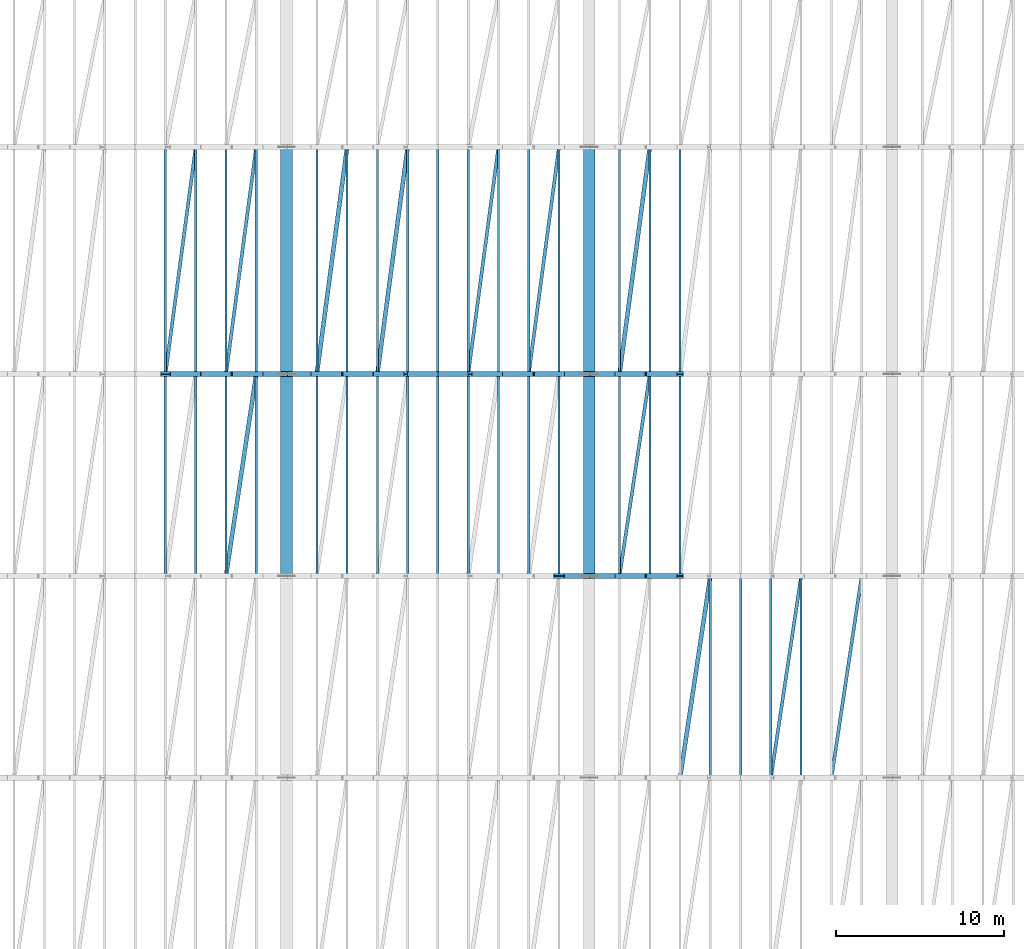
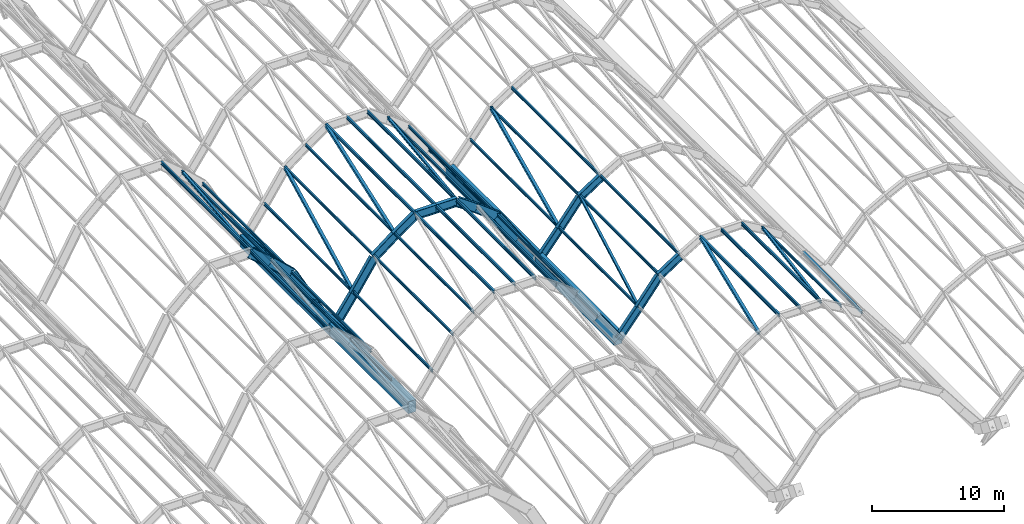
# One storey, part 15 of 86: 48 members, 25 beams.
"""IFC4 building model written with IfcOpenShell, lengths in metres."""

from ifc_helpers import new_model, si_unit, direction, frame, origin, origin_2d, place, context, subcontext, project, spatial, rectangle, i_section, extrude, material, material_profile, profile_set, type_object, element, save


model = new_model("IFC4")

# Units and contexts
model_context = context("Model", 3, precision=1e-05, world=origin(), true_north=direction((0.0, 1.0)))
body_context = subcontext(model_context, "Body", "Model", "MODEL_VIEW")
ifc_project = project(units=[si_unit("LENGTHUNIT", "METRE"), si_unit("AREAUNIT", "SQUARE_METRE"), si_unit("VOLUMEUNIT", "CUBIC_METRE"), si_unit("PLANEANGLEUNIT", "RADIAN"), si_unit("MASSUNIT", "GRAM", prefix="KILO")], contexts=[model_context])

# Site, building, storey
site_placement = place(None, origin())
site = spatial("IfcSite", under=ifc_project, at=site_placement, CompositionType="ELEMENT")
building_placement = place(site_placement, origin())
building = spatial("IfcBuilding", under=site, at=building_placement, Name="Chuanluo Vaults Station", CompositionType="ELEMENT")
storey_placement = place(building_placement, frame((0.0, 0.0, 14.39990234375)))
storey = spatial("IfcBuildingStorey", under=building, at=storey_placement, Name="L03", CompositionType="ELEMENT", Elevation=14.39990234375)

# Beams
ifc_material_1 = material(Name="Concrete C50", Category="concrete")
ifc_material_profile_1 = material_profile(ifc_material_1, rectangle(XDim=0.699951171875, YDim=1.10009765625, at=origin_2d()))
ifc_profile_set_1 = profile_set([ifc_material_profile_1], Name="Concrete C50")
beam_type_1 = type_object("IfcBeamType", Name="BM-VAL-RC", PredefinedType="USERDEFINED", material=ifc_profile_set_1)
beam_1_placement = place(storey_placement, frame((72.0, 42.0, -0.7998046875), z_axis=(0.0, 1.0, 0.0), x_axis=(-1.0, 0.0, 0.0)))
element("IfcBeam", 1, at=beam_1_placement, inside=storey, type_object=beam_type_1, Name="Vault springing valley beam X72-3", ObjectType="GIRDER", PredefinedType="USERDEFINED", context=body_context, shape_type="SweptSolid", body=[
    extrude(rectangle(XDim=0.699951171875, YDim=1.10009765625, at=origin_2d()), origin(), (0.0, 0.0, 1.0), 12.0),
])
beam_2_placement = place(storey_placement, frame((72.0, 54.0, -0.7998046875), z_axis=(0.0, 1.0, 0.0), x_axis=(-1.0, 0.0, 0.0)))
element("IfcBeam", 2, at=beam_2_placement, inside=storey, type_object=beam_type_1, Name="Vault springing valley beam X72-4", ObjectType="GIRDER", PredefinedType="USERDEFINED", context=body_context, shape_type="SweptSolid", body=[
    extrude(rectangle(XDim=0.699951171875, YDim=1.10009765625, at=origin_2d()), origin(), (0.0, 0.0, 1.0), 13.5),
])
beam_3_placement = place(storey_placement, frame((90.0, 42.0, -0.7998046875), z_axis=(0.0, 1.0, 0.0), x_axis=(-1.0, 0.0, 0.0)))
element("IfcBeam", 3, at=beam_3_placement, inside=storey, type_object=beam_type_1, Name="Vault springing valley beam X90-3", ObjectType="GIRDER", PredefinedType="USERDEFINED", context=body_context, shape_type="SweptSolid", body=[
    extrude(rectangle(XDim=0.699951171875, YDim=1.10009765625, at=origin_2d()), origin(), (0.0, 0.0, 1.0), 12.0),
])
beam_4_placement = place(storey_placement, frame((90.0, 54.0, -0.7998046875), z_axis=(0.0, 1.0, 0.0), x_axis=(-1.0, 0.0, 0.0)))
element("IfcBeam", 4, at=beam_4_placement, inside=storey, type_object=beam_type_1, Name="Vault springing valley beam X90-4", ObjectType="GIRDER", PredefinedType="USERDEFINED", context=body_context, shape_type="SweptSolid", body=[
    extrude(rectangle(XDim=0.699951171875, YDim=1.10009765625, at=origin_2d()), origin(), (0.0, 0.0, 1.0), 13.5),
])
ifc_material_2 = material(Name="Steel Q355C", Category="steel")
ifc_material_profile_2 = material_profile(ifc_material_2, i_section(OverallWidth=0.300048828125, OverallDepth=0.699951171875, WebThickness=0.012939453125, FlangeThickness=0.02392578125, FilletRadius=0.02392578125, at=origin_2d()))
ifc_profile_set_2 = profile_set([ifc_material_profile_2], Name="Steel Q355C")
beam_type_2 = type_object("IfcBeamType", Name="BM-VLT-700", PredefinedType="USERDEFINED", material=ifc_profile_set_2)
beam_5_placement = place(storey_placement, frame((90.0, 42.0, -0.7998046875), z_axis=(0.628190338877, 0.0, 0.778059700885), x_axis=(0.0, 1.0, 0.0)))
element("IfcBeam", 5, at=beam_5_placement, inside=storey, type_object=beam_type_2, Name="Vault V6 arch rib 3 chord 1", ObjectType="GIRDER", PredefinedType="USERDEFINED", context=body_context, shape_type="SweptSolid", body=[
    extrude(i_section(OverallWidth=0.300048828125, OverallDepth=0.699951171875, WebThickness=0.012939453125, FlangeThickness=0.02392578125, FilletRadius=0.02392578125, at=origin_2d()), origin(), (0.0, 0.0, 1.0), 2.865478515625),
])
beam_6_placement = place(storey_placement, frame((91.800048828125, 42.0, 1.4296875), z_axis=(0.613681275736, 0.0, 0.789553856182), x_axis=(0.0, 1.0, 0.0)))
element("IfcBeam", 6, at=beam_6_placement, inside=storey, type_object=beam_type_2, Name="Vault V6 arch rib 3 chord 2", ObjectType="GIRDER", PredefinedType="USERDEFINED", context=body_context, shape_type="SweptSolid", body=[
    extrude(i_section(OverallWidth=0.300048828125, OverallDepth=0.699951171875, WebThickness=0.012939453125, FlangeThickness=0.02392578125, FilletRadius=0.02392578125, at=origin_2d()), origin(), (0.0, 0.0, 1.0), 2.93310546875),
])
beam_7_placement = place(storey_placement, frame((93.60009765625, 42.0, 3.74560546875), z_axis=(0.836145448105, 0.0, 0.54850778446), x_axis=(0.0, 1.0, 0.0)))
element("IfcBeam", 7, at=beam_7_placement, inside=storey, type_object=beam_type_2, Name="Vault V6 arch rib 3 chord 3", ObjectType="GIRDER", PredefinedType="USERDEFINED", context=body_context, shape_type="SweptSolid", body=[
    extrude(i_section(OverallWidth=0.300048828125, OverallDepth=0.699951171875, WebThickness=0.012939453125, FlangeThickness=0.02392578125, FilletRadius=0.02392578125, at=origin_2d()), origin(), (0.0, 0.0, 1.0), 2.152587890625),
])
beam_8_placement = place(storey_placement, frame((90.0, 54.0, -0.7998046875), z_axis=(0.628190338877, 0.0, 0.778059700885), x_axis=(0.0, 1.0, 0.0)))
element("IfcBeam", 8, at=beam_8_placement, inside=storey, type_object=beam_type_2, Name="Vault V6 arch rib 4 chord 1", ObjectType="GIRDER", PredefinedType="USERDEFINED", context=body_context, shape_type="SweptSolid", body=[
    extrude(i_section(OverallWidth=0.300048828125, OverallDepth=0.699951171875, WebThickness=0.012939453125, FlangeThickness=0.02392578125, FilletRadius=0.02392578125, at=origin_2d()), origin(), (0.0, 0.0, 1.0), 2.865478515625),
])
beam_9_placement = place(storey_placement, frame((91.800048828125, 54.0, 1.4296875), z_axis=(0.613681275736, 0.0, 0.789553856182), x_axis=(0.0, 1.0, 0.0)))
element("IfcBeam", 9, at=beam_9_placement, inside=storey, type_object=beam_type_2, Name="Vault V6 arch rib 4 chord 2", ObjectType="GIRDER", PredefinedType="USERDEFINED", context=body_context, shape_type="SweptSolid", body=[
    extrude(i_section(OverallWidth=0.300048828125, OverallDepth=0.699951171875, WebThickness=0.012939453125, FlangeThickness=0.02392578125, FilletRadius=0.02392578125, at=origin_2d()), origin(), (0.0, 0.0, 1.0), 2.93310546875),
])
beam_10_placement = place(storey_placement, frame((93.60009765625, 54.0, 3.74560546875), z_axis=(0.836145448105, 0.0, 0.54850778446), x_axis=(0.0, 1.0, 0.0)))
element("IfcBeam", 10, at=beam_10_placement, inside=storey, type_object=beam_type_2, Name="Vault V6 arch rib 4 chord 3", ObjectType="GIRDER", PredefinedType="USERDEFINED", context=body_context, shape_type="SweptSolid", body=[
    extrude(i_section(OverallWidth=0.300048828125, OverallDepth=0.699951171875, WebThickness=0.012939453125, FlangeThickness=0.02392578125, FilletRadius=0.02392578125, at=origin_2d()), origin(), (0.0, 0.0, 1.0), 2.152587890625),
])
ifc_material_3 = material(Name="Steel Q355C", Category="steel")
ifc_material_profile_3 = material_profile(ifc_material_3, i_section(OverallWidth=0.300048828125, OverallDepth=0.800048828125, WebThickness=0.013916015625, FlangeThickness=0.02587890625, FilletRadius=0.02392578125, at=origin_2d()))
ifc_profile_set_3 = profile_set([ifc_material_profile_3], Name="Steel Q355C")
beam_type_3 = type_object("IfcBeamType", Name="BM-VLT-800", PredefinedType="USERDEFINED", material=ifc_profile_set_3)
for number, where, z_axis, x_axis, name in (
    (11, (88.199951171875, 42.0, 1.75244140625), (0.568880934439, 0.0, -0.822419894234), (0.0, 1.0, 0.0), "Vault V5 arch rib 3 chord 10"),
    (12, (72.0, 54.0, -0.849853515625), (0.568880934439, 0.0, 0.822419894234), (0.0, 1.0, 0.0), "Vault V5 arch rib 4 chord 1"),
):
    element("IfcBeam", number, at=place(storey_placement, frame(where, z_axis=z_axis, x_axis=x_axis)), inside=storey, type_object=beam_type_3, Name=name, ObjectType="GIRDER", PredefinedType="USERDEFINED", context=body_context, shape_type="SweptSolid", body=[
        extrude(i_section(OverallWidth=0.300048828125, OverallDepth=0.800048828125, WebThickness=0.013916015625, FlangeThickness=0.02587890625, FilletRadius=0.02392578125, at=origin_2d()), origin(), (0.0, 0.0, 1.0), 3.164306640625),
    ])
beam_11_placement = place(storey_placement, frame((73.800048828125, 54.0, 1.75244140625), z_axis=(0.550471867992, 0.0, 0.834853713263), x_axis=(0.0, 1.0, 0.0)))
element("IfcBeam", 13, at=beam_11_placement, inside=storey, type_object=beam_type_3, Name="Vault V5 arch rib 4 chord 2", ObjectType="GIRDER", PredefinedType="USERDEFINED", context=body_context, shape_type="SweptSolid", body=[
    extrude(i_section(OverallWidth=0.300048828125, OverallDepth=0.800048828125, WebThickness=0.013916015625, FlangeThickness=0.02587890625, FilletRadius=0.02392578125, at=origin_2d()), origin(), (0.0, 0.0, 1.0), 3.27001953125),
])
beam_12_placement = place(storey_placement, frame((75.60009765625, 54.0, 4.482421875), z_axis=(0.790274889356, 0.0, 0.612752477965), x_axis=(0.0, 1.0, 0.0)))
element("IfcBeam", 14, at=beam_12_placement, inside=storey, type_object=beam_type_3, Name="Vault V5 arch rib 4 chord 3", ObjectType="GIRDER", PredefinedType="USERDEFINED", context=body_context, shape_type="SweptSolid", body=[
    extrude(i_section(OverallWidth=0.300048828125, OverallDepth=0.800048828125, WebThickness=0.013916015625, FlangeThickness=0.02587890625, FilletRadius=0.02392578125, at=origin_2d()), origin(), (0.0, 0.0, 1.0), 2.27734375),
])
beam_13_placement = place(storey_placement, frame((77.39990234375, 54.0, 5.8779296875), z_axis=(0.820907471123, 0.0, 0.571061226012), x_axis=(0.0, 1.0, 0.0)))
element("IfcBeam", 15, at=beam_13_placement, inside=storey, type_object=beam_type_3, Name="Vault V5 arch rib 4 chord 4", ObjectType="GIRDER", PredefinedType="USERDEFINED", context=body_context, shape_type="SweptSolid", body=[
    extrude(i_section(OverallWidth=0.300048828125, OverallDepth=0.800048828125, WebThickness=0.013916015625, FlangeThickness=0.02587890625, FilletRadius=0.02392578125, at=origin_2d()), origin(), (0.0, 0.0, 1.0), 2.19287109375),
])
for number, where, z_axis, x_axis, name in (
    (16, (79.199951171875, 54.0, 7.130126953125), (1.0, 0.0, 0.0), (0.0, 1.0, 0.0), "Vault V5 arch rib 4 chord 5"),
    (17, (81.0, 54.0, 7.130126953125), (1.0, 0.0, 0.0), (0.0, 1.0, 0.0), "Vault V5 arch rib 4 chord 6"),
):
    element("IfcBeam", number, at=place(storey_placement, frame(where, z_axis=z_axis, x_axis=x_axis)), inside=storey, type_object=beam_type_3, Name=name, ObjectType="GIRDER", PredefinedType="USERDEFINED", context=body_context, shape_type="SweptSolid", body=[
        extrude(i_section(OverallWidth=0.300048828125, OverallDepth=0.800048828125, WebThickness=0.013916015625, FlangeThickness=0.02587890625, FilletRadius=0.02392578125, at=origin_2d()), origin(), (0.0, 0.0, 1.0), 1.800048828125),
    ])
beam_14_placement = place(storey_placement, frame((82.800048828125, 54.0, 7.130126953125), z_axis=(0.820907471123, 0.0, -0.571061226012), x_axis=(0.0, 1.0, 0.0)))
element("IfcBeam", 18, at=beam_14_placement, inside=storey, type_object=beam_type_3, Name="Vault V5 arch rib 4 chord 7", ObjectType="GIRDER", PredefinedType="USERDEFINED", context=body_context, shape_type="SweptSolid", body=[
    extrude(i_section(OverallWidth=0.300048828125, OverallDepth=0.800048828125, WebThickness=0.013916015625, FlangeThickness=0.02587890625, FilletRadius=0.02392578125, at=origin_2d()), origin(), (0.0, 0.0, 1.0), 2.19287109375),
])
beam_15_placement = place(storey_placement, frame((84.60009765625, 54.0, 5.8779296875), z_axis=(0.790274889356, 0.0, -0.612752477965), x_axis=(0.0, 1.0, 0.0)))
element("IfcBeam", 19, at=beam_15_placement, inside=storey, type_object=beam_type_3, Name="Vault V5 arch rib 4 chord 8", ObjectType="GIRDER", PredefinedType="USERDEFINED", context=body_context, shape_type="SweptSolid", body=[
    extrude(i_section(OverallWidth=0.300048828125, OverallDepth=0.800048828125, WebThickness=0.013916015625, FlangeThickness=0.02587890625, FilletRadius=0.02392578125, at=origin_2d()), origin(), (0.0, 0.0, 1.0), 2.27734375),
])
beam_16_placement = place(storey_placement, frame((86.39990234375, 54.0, 4.482421875), z_axis=(0.550471867992, 0.0, -0.834853713263), x_axis=(0.0, 1.0, 0.0)))
element("IfcBeam", 20, at=beam_16_placement, inside=storey, type_object=beam_type_3, Name="Vault V5 arch rib 4 chord 9", ObjectType="GIRDER", PredefinedType="USERDEFINED", context=body_context, shape_type="SweptSolid", body=[
    extrude(i_section(OverallWidth=0.300048828125, OverallDepth=0.800048828125, WebThickness=0.013916015625, FlangeThickness=0.02587890625, FilletRadius=0.02392578125, at=origin_2d()), origin(), (0.0, 0.0, 1.0), 3.27001953125),
])
beam_17_placement = place(storey_placement, frame((88.199951171875, 54.0, 1.75244140625), z_axis=(0.568880934439, 0.0, -0.822419894234), x_axis=(0.0, 1.0, 0.0)))
element("IfcBeam", 21, at=beam_17_placement, inside=storey, type_object=beam_type_3, Name="Vault V5 arch rib 4 chord 10", ObjectType="GIRDER", PredefinedType="USERDEFINED", context=body_context, shape_type="SweptSolid", body=[
    extrude(i_section(OverallWidth=0.300048828125, OverallDepth=0.800048828125, WebThickness=0.013916015625, FlangeThickness=0.02587890625, FilletRadius=0.02392578125, at=origin_2d()), origin(), (0.0, 0.0, 1.0), 3.164306640625),
])
ifc_material_4 = material(Name="Steel Q355C", Category="steel")
ifc_material_profile_4 = material_profile(ifc_material_4, i_section(OverallWidth=0.300048828125, OverallDepth=0.89990234375, WebThickness=0.01611328125, FlangeThickness=0.028076171875, FilletRadius=0.02392578125, at=origin_2d()))
ifc_profile_set_4 = profile_set([ifc_material_profile_4], Name="Steel Q355C")
beam_type_4 = type_object("IfcBeamType", Name="BM-VLT-900", PredefinedType="USERDEFINED", material=ifc_profile_set_4)
beam_18_placement = place(storey_placement, frame((64.800048828125, 54.0, 8.68017578125), z_axis=(0.76434097912, 0.0, -0.644812273176), x_axis=(0.0, 1.0, 0.0)))
element("IfcBeam", 22, at=beam_18_placement, inside=storey, type_object=beam_type_4, Name="Vault V4 arch rib 4 chord 7", ObjectType="GIRDER", PredefinedType="USERDEFINED", context=body_context, shape_type="SweptSolid", body=[
    extrude(i_section(OverallWidth=0.300048828125, OverallDepth=0.89990234375, WebThickness=0.01611328125, FlangeThickness=0.028076171875, FilletRadius=0.02392578125, at=origin_2d()), origin(), (0.0, 0.0, 1.0), 2.35498046875),
])
beam_19_placement = place(storey_placement, frame((66.60009765625, 54.0, 7.16162109375), z_axis=(0.730389392317, 0.0, -0.683030991676), x_axis=(0.0, 1.0, 0.0)))
element("IfcBeam", 23, at=beam_19_placement, inside=storey, type_object=beam_type_4, Name="Vault V4 arch rib 4 chord 8", ObjectType="GIRDER", PredefinedType="USERDEFINED", context=body_context, shape_type="SweptSolid", body=[
    extrude(i_section(OverallWidth=0.300048828125, OverallDepth=0.89990234375, WebThickness=0.01611328125, FlangeThickness=0.028076171875, FilletRadius=0.02392578125, at=origin_2d()), origin(), (0.0, 0.0, 1.0), 2.464111328125),
])
beam_20_placement = place(storey_placement, frame((68.39990234375, 54.0, 5.478515625), z_axis=(0.480856872349, 0.0, -0.876799103738), x_axis=(0.0, 1.0, 0.0)))
element("IfcBeam", 24, at=beam_20_placement, inside=storey, type_object=beam_type_4, Name="Vault V4 arch rib 4 chord 9", ObjectType="GIRDER", PredefinedType="USERDEFINED", context=body_context, shape_type="SweptSolid", body=[
    extrude(i_section(OverallWidth=0.300048828125, OverallDepth=0.89990234375, WebThickness=0.01611328125, FlangeThickness=0.028076171875, FilletRadius=0.02392578125, at=origin_2d()), origin(), (0.0, 0.0, 1.0), 3.743408203125),
])
beam_21_placement = place(storey_placement, frame((70.199951171875, 54.0, 2.1962890625), z_axis=(0.502607424266, 0.0, -0.864514763941), x_axis=(0.0, 1.0, 0.0)))
element("IfcBeam", 25, at=beam_21_placement, inside=storey, type_object=beam_type_4, Name="Vault V4 arch rib 4 chord 10", ObjectType="GIRDER", PredefinedType="USERDEFINED", context=body_context, shape_type="SweptSolid", body=[
    extrude(i_section(OverallWidth=0.300048828125, OverallDepth=0.89990234375, WebThickness=0.01611328125, FlangeThickness=0.028076171875, FilletRadius=0.02392578125, at=origin_2d()), origin(), (0.0, 0.0, 1.0), 3.58154296875),
])

# Members
ifc_material_5 = material(Name="Steel Q355C", Category="steel")
ifc_material_profile_5 = material_profile(ifc_material_5, i_section(OverallWidth=0.125, OverallDepth=0.25, WebThickness=0.006103515625, FlangeThickness=0.009033203125, FilletRadius=0.011962890625, at=origin_2d()))
ifc_profile_set_5 = profile_set([ifc_material_profile_5], Name="Steel Q355C")
member_type_1 = type_object("IfcMemberType", Name="MEM-PUR-250", PredefinedType="PURLIN", material=ifc_profile_set_5)
for number, where, z_axis, x_axis, name in (
    (26, (66.60009765625, 42.0, 7.38720703125), (0.0, 1.0, 0.0), (-1.0, 0.0, 0.0), "Vault V4 purlin 3.7"),
    (27, (68.39990234375, 42.0, 5.642578125), (0.0, 1.0, 0.0), (-1.0, 0.0, 0.0), "Vault V4 purlin 3.8"),
    (28, (70.199951171875, 42.0, 2.3427734375), (0.0, 1.0, 0.0), (-1.0, 0.0, 0.0), "Vault V4 purlin 3.9"),
):
    element("IfcMember", number, at=place(storey_placement, frame(where, z_axis=z_axis, x_axis=x_axis)), inside=storey, type_object=member_type_1, Name=name, PredefinedType="PURLIN", context=body_context, shape_type="SweptSolid", body=[
        extrude(i_section(OverallWidth=0.125, OverallDepth=0.25, WebThickness=0.006103515625, FlangeThickness=0.009033203125, FilletRadius=0.011962890625, at=origin_2d()), origin(), (0.0, 0.0, 1.0), 12.0),
    ])
for number, where, z_axis, x_axis, name in (
    (29, (66.60009765625, 54.0, 7.38720703125), (0.0, 1.0, 0.0), (-1.0, 0.0, 0.0), "Vault V4 purlin 4.7"),
    (30, (68.39990234375, 54.0, 5.642578125), (0.0, 1.0, 0.0), (-1.0, 0.0, 0.0), "Vault V4 purlin 4.8"),
    (31, (70.199951171875, 54.0, 2.3427734375), (0.0, 1.0, 0.0), (-1.0, 0.0, 0.0), "Vault V4 purlin 4.9"),
):
    element("IfcMember", number, at=place(storey_placement, frame(where, z_axis=z_axis, x_axis=x_axis)), inside=storey, type_object=member_type_1, Name=name, PredefinedType="PURLIN", context=body_context, shape_type="SweptSolid", body=[
        extrude(i_section(OverallWidth=0.125, OverallDepth=0.25, WebThickness=0.006103515625, FlangeThickness=0.009033203125, FilletRadius=0.011962890625, at=origin_2d()), origin(), (0.0, 0.0, 1.0), 13.5),
    ])
for number, where, z_axis, x_axis, name in (
    (32, (73.800048828125, 42.0, 1.86962890625), (0.0, 1.0, 0.0), (-1.0, 0.0, 0.0), "Vault V5 purlin 3.1"),
    (33, (75.60009765625, 42.0, 4.619384765625), (0.0, 1.0, 0.0), (-1.0, 0.0, 0.0), "Vault V5 purlin 3.2"),
    (34, (77.39990234375, 42.0, 6.062744140625), (0.0, 1.0, 0.0), (-1.0, 0.0, 0.0), "Vault V5 purlin 3.3"),
    (35, (84.60009765625, 42.0, 6.062744140625), (0.0, 1.0, 0.0), (-1.0, 0.0, 0.0), "Vault V5 purlin 3.7"),
    (36, (86.39990234375, 42.0, 4.619384765625), (0.0, 1.0, 0.0), (-1.0, 0.0, 0.0), "Vault V5 purlin 3.8"),
    (37, (88.199951171875, 42.0, 1.86962890625), (0.0, 1.0, 0.0), (-1.0, 0.0, 0.0), "Vault V5 purlin 3.9"),
):
    element("IfcMember", number, at=place(storey_placement, frame(where, z_axis=z_axis, x_axis=x_axis)), inside=storey, type_object=member_type_1, Name=name, PredefinedType="PURLIN", context=body_context, shape_type="SweptSolid", body=[
        extrude(i_section(OverallWidth=0.125, OverallDepth=0.25, WebThickness=0.006103515625, FlangeThickness=0.009033203125, FilletRadius=0.011962890625, at=origin_2d()), origin(), (0.0, 0.0, 1.0), 12.0),
    ])
for number, where, z_axis, x_axis, name in (
    (38, (73.800048828125, 54.0, 1.86962890625), (0.0, 1.0, 0.0), (-1.0, 0.0, 0.0), "Vault V5 purlin 4.1"),
    (39, (75.60009765625, 54.0, 4.619384765625), (0.0, 1.0, 0.0), (-1.0, 0.0, 0.0), "Vault V5 purlin 4.2"),
    (40, (77.39990234375, 54.0, 6.062744140625), (0.0, 1.0, 0.0), (-1.0, 0.0, 0.0), "Vault V5 purlin 4.3"),
    (41, (84.60009765625, 54.0, 6.062744140625), (0.0, 1.0, 0.0), (-1.0, 0.0, 0.0), "Vault V5 purlin 4.7"),
    (42, (86.39990234375, 54.0, 4.619384765625), (0.0, 1.0, 0.0), (-1.0, 0.0, 0.0), "Vault V5 purlin 4.8"),
    (43, (88.199951171875, 54.0, 1.86962890625), (0.0, 1.0, 0.0), (-1.0, 0.0, 0.0), "Vault V5 purlin 4.9"),
):
    element("IfcMember", number, at=place(storey_placement, frame(where, z_axis=z_axis, x_axis=x_axis)), inside=storey, type_object=member_type_1, Name=name, PredefinedType="PURLIN", context=body_context, shape_type="SweptSolid", body=[
        extrude(i_section(OverallWidth=0.125, OverallDepth=0.25, WebThickness=0.006103515625, FlangeThickness=0.009033203125, FilletRadius=0.011962890625, at=origin_2d()), origin(), (0.0, 0.0, 1.0), 13.5),
    ])
for number, where, z_axis, x_axis, name in (
    (44, (102.60009765625, 30.0, 5.068115234375), (0.0, 1.0, 0.0), (-1.0, 0.0, 0.0), "Vault V6 purlin 2.7"),
    (45, (91.800048828125, 42.0, 1.5126953125), (0.0, 1.0, 0.0), (-1.0, 0.0, 0.0), "Vault V6 purlin 3.1"),
    (46, (93.60009765625, 42.0, 3.849853515625), (0.0, 1.0, 0.0), (-1.0, 0.0, 0.0), "Vault V6 purlin 3.2"),
    (47, (95.39990234375, 42.0, 5.068115234375), (0.0, 1.0, 0.0), (-1.0, 0.0, 0.0), "Vault V6 purlin 3.3"),
):
    element("IfcMember", number, at=place(storey_placement, frame(where, z_axis=z_axis, x_axis=x_axis)), inside=storey, type_object=member_type_1, Name=name, PredefinedType="PURLIN", context=body_context, shape_type="SweptSolid", body=[
        extrude(i_section(OverallWidth=0.125, OverallDepth=0.25, WebThickness=0.006103515625, FlangeThickness=0.009033203125, FilletRadius=0.011962890625, at=origin_2d()), origin(), (0.0, 0.0, 1.0), 12.0),
    ])
for number, where, z_axis, x_axis, name in (
    (48, (91.800048828125, 54.0, 1.5126953125), (0.0, 1.0, 0.0), (-1.0, 0.0, 0.0), "Vault V6 purlin 4.1"),
    (49, (93.60009765625, 54.0, 3.849853515625), (0.0, 1.0, 0.0), (-1.0, 0.0, 0.0), "Vault V6 purlin 4.2"),
    (50, (95.39990234375, 54.0, 5.068115234375), (0.0, 1.0, 0.0), (-1.0, 0.0, 0.0), "Vault V6 purlin 4.3"),
):
    element("IfcMember", number, at=place(storey_placement, frame(where, z_axis=z_axis, x_axis=x_axis)), inside=storey, type_object=member_type_1, Name=name, PredefinedType="PURLIN", context=body_context, shape_type="SweptSolid", body=[
        extrude(i_section(OverallWidth=0.125, OverallDepth=0.25, WebThickness=0.006103515625, FlangeThickness=0.009033203125, FilletRadius=0.011962890625, at=origin_2d()), origin(), (0.0, 0.0, 1.0), 13.5),
    ])
ifc_material_6 = material(Name="Steel Q355C", Category="steel")
ifc_material_profile_6 = material_profile(ifc_material_6, i_section(OverallWidth=0.14990234375, OverallDepth=0.300048828125, WebThickness=0.006591796875, FlangeThickness=0.009033203125, FilletRadius=0.012939453125, at=origin_2d()))
ifc_profile_set_6 = profile_set([ifc_material_profile_6], Name="Steel Q355C")
member_type_2 = type_object("IfcMemberType", Name="MEM-PUR-300", PredefinedType="PURLIN", material=ifc_profile_set_6)
member_1_placement = place(storey_placement, frame((64.800048828125, 42.0, 8.834228515625), z_axis=(0.0, 1.0, 0.0), x_axis=(-1.0, 0.0, 0.0)))
element("IfcMember", 51, at=member_1_placement, inside=storey, type_object=member_type_2, Name="Vault V4 purlin 3.6", PredefinedType="PURLIN", context=body_context, shape_type="SweptSolid", body=[
    extrude(i_section(OverallWidth=0.14990234375, OverallDepth=0.300048828125, WebThickness=0.006591796875, FlangeThickness=0.009033203125, FilletRadius=0.012939453125, at=origin_2d()), origin(), (0.0, 0.0, 1.0), 12.0),
])
member_2_placement = place(storey_placement, frame((64.800048828125, 54.0, 8.834228515625), z_axis=(0.0, 1.0, 0.0), x_axis=(-1.0, 0.0, 0.0)))
element("IfcMember", 52, at=member_2_placement, inside=storey, type_object=member_type_2, Name="Vault V4 purlin 4.6", PredefinedType="PURLIN", context=body_context, shape_type="SweptSolid", body=[
    extrude(i_section(OverallWidth=0.14990234375, OverallDepth=0.300048828125, WebThickness=0.006591796875, FlangeThickness=0.009033203125, FilletRadius=0.012939453125, at=origin_2d()), origin(), (0.0, 0.0, 1.0), 13.5),
])
for number, where, z_axis, x_axis, name in (
    (53, (79.199951171875, 42.0, 7.264404296875), (0.0, 1.0, 0.0), (-1.0, 0.0, 0.0), "Vault V5 purlin 3.4"),
    (54, (81.0, 42.0, 7.3720703125), (0.0, 1.0, 0.0), (-1.0, 0.0, 0.0), "Vault V5 purlin 3.5"),
    (55, (82.800048828125, 42.0, 7.264404296875), (0.0, 1.0, 0.0), (-1.0, 0.0, 0.0), "Vault V5 purlin 3.6"),
):
    element("IfcMember", number, at=place(storey_placement, frame(where, z_axis=z_axis, x_axis=x_axis)), inside=storey, type_object=member_type_2, Name=name, PredefinedType="PURLIN", context=body_context, shape_type="SweptSolid", body=[
        extrude(i_section(OverallWidth=0.14990234375, OverallDepth=0.300048828125, WebThickness=0.006591796875, FlangeThickness=0.009033203125, FilletRadius=0.012939453125, at=origin_2d()), origin(), (0.0, 0.0, 1.0), 12.0),
    ])
for number, where, z_axis, x_axis, name in (
    (56, (79.199951171875, 54.0, 7.264404296875), (0.0, 1.0, 0.0), (-1.0, 0.0, 0.0), "Vault V5 purlin 4.4"),
    (57, (81.0, 54.0, 7.3720703125), (0.0, 1.0, 0.0), (-1.0, 0.0, 0.0), "Vault V5 purlin 4.5"),
    (58, (82.800048828125, 54.0, 7.264404296875), (0.0, 1.0, 0.0), (-1.0, 0.0, 0.0), "Vault V5 purlin 4.6"),
):
    element("IfcMember", number, at=place(storey_placement, frame(where, z_axis=z_axis, x_axis=x_axis)), inside=storey, type_object=member_type_2, Name=name, PredefinedType="PURLIN", context=body_context, shape_type="SweptSolid", body=[
        extrude(i_section(OverallWidth=0.14990234375, OverallDepth=0.300048828125, WebThickness=0.006591796875, FlangeThickness=0.009033203125, FilletRadius=0.012939453125, at=origin_2d()), origin(), (0.0, 0.0, 1.0), 13.5),
    ])
for number, where, z_axis, x_axis, name in (
    (59, (97.199951171875, 30.0, 6.085693359375), (0.0, 1.0, 0.0), (-1.0, 0.0, 0.0), "Vault V6 purlin 2.4"),
    (60, (99.0, 30.0, 6.172119140625), (0.0, 1.0, 0.0), (-1.0, 0.0, 0.0), "Vault V6 purlin 2.5"),
    (61, (100.800048828125, 30.0, 6.085693359375), (0.0, 1.0, 0.0), (-1.0, 0.0, 0.0), "Vault V6 purlin 2.6"),
):
    element("IfcMember", number, at=place(storey_placement, frame(where, z_axis=z_axis, x_axis=x_axis)), inside=storey, type_object=member_type_2, Name=name, PredefinedType="PURLIN", context=body_context, shape_type="SweptSolid", body=[
        extrude(i_section(OverallWidth=0.14990234375, OverallDepth=0.300048828125, WebThickness=0.006591796875, FlangeThickness=0.009033203125, FilletRadius=0.012939453125, at=origin_2d()), origin(), (0.0, 0.0, 1.0), 12.0),
    ])
ifc_material_7 = material(Name="Steel Q355C", Category="steel")
ifc_material_profile_7 = material_profile(ifc_material_7, i_section(OverallWidth=0.199951171875, OverallDepth=0.199951171875, WebThickness=0.008056640625, FlangeThickness=0.011962890625, FilletRadius=0.012939453125, at=origin_2d()))
ifc_profile_set_7 = profile_set([ifc_material_profile_7], Name="Steel Q355C")
member_type_3 = type_object("IfcMemberType", Name="MEM-VBR-200", PredefinedType="BRACE", material=ifc_profile_set_7)
member_3_placement = place(storey_placement, frame((64.800048828125, 54.0, 8.834228515625), z_axis=(0.131427526779, 0.985679712571, -0.105651831171), x_axis=(-0.991227431004, 0.132167242636, 0.0)))
element("IfcMember", 62, at=member_3_placement, inside=storey, type_object=member_type_3, Name="Vault V4 space-frame diagonal 4.6", PredefinedType="BRACE", context=body_context, shape_type="SweptSolid", body=[
    extrude(i_section(OverallWidth=0.199951171875, OverallDepth=0.199951171875, WebThickness=0.008056640625, FlangeThickness=0.011962890625, FilletRadius=0.012939453125, at=origin_2d()), origin(), (0.0, 0.0, 1.0), 13.696044921875),
])
member_4_placement = place(storey_placement, frame((68.39990234375, 54.0, 5.642578125), z_axis=(0.12845082237, 0.963355035098, -0.235472848929), x_axis=(-0.991227431004, 0.132167242636, 0.0)))
element("IfcMember", 63, at=member_4_placement, inside=storey, type_object=member_type_3, Name="Vault V4 space-frame diagonal 4.8", PredefinedType="BRACE", context=body_context, shape_type="SweptSolid", body=[
    extrude(i_section(OverallWidth=0.199951171875, OverallDepth=0.199951171875, WebThickness=0.008056640625, FlangeThickness=0.011962890625, FilletRadius=0.012939453125, at=origin_2d()), origin(), (0.0, 0.0, 1.0), 14.013427734375),
])
member_5_placement = place(storey_placement, frame((82.800048828125, 54.0, 7.264404296875), z_axis=(0.131655785074, 0.987391603341, -0.087889566545), x_axis=(-0.991227431004, 0.132167242636, 0.0)))
element("IfcMember", 64, at=member_5_placement, inside=storey, type_object=member_type_3, Name="Vault V5 space-frame diagonal 4.6", PredefinedType="BRACE", context=body_context, shape_type="SweptSolid", body=[
    extrude(i_section(OverallWidth=0.199951171875, OverallDepth=0.199951171875, WebThickness=0.008056640625, FlangeThickness=0.011962890625, FilletRadius=0.012939453125, at=origin_2d()), origin(), (0.0, 0.0, 1.0), 13.67236328125),
])
member_6_placement = place(storey_placement, frame((86.39990234375, 54.0, 4.619384765625), z_axis=(0.129553122095, 0.971622058778, -0.197905440683), x_axis=(-0.991227431004, 0.132167242636, 0.0)))
element("IfcMember", 65, at=member_6_placement, inside=storey, type_object=member_type_3, Name="Vault V5 space-frame diagonal 4.8", PredefinedType="BRACE", context=body_context, shape_type="SweptSolid", body=[
    extrude(i_section(OverallWidth=0.199951171875, OverallDepth=0.199951171875, WebThickness=0.008056640625, FlangeThickness=0.011962890625, FilletRadius=0.012939453125, at=origin_2d()), origin(), (0.0, 0.0, 1.0), 13.894287109375),
])
member_7_placement = place(storey_placement, frame((100.800048828125, 30.0, 6.085693359375), z_axis=(0.147825508235, 0.985476655471, -0.083566623942), x_axis=(-0.988935762544, 0.148344388372, 0.0)))
element("IfcMember", 66, at=member_7_placement, inside=storey, type_object=member_type_3, Name="Vault V6 space-frame diagonal 2.6", PredefinedType="BRACE", context=body_context, shape_type="SweptSolid", body=[
    extrude(i_section(OverallWidth=0.199951171875, OverallDepth=0.199951171875, WebThickness=0.008056640625, FlangeThickness=0.011962890625, FilletRadius=0.012939453125, at=origin_2d()), origin(), (0.0, 0.0, 1.0), 12.1767578125),
])
for number, where, z_axis, x_axis, name in (
    (67, (104.39990234375, 30.0, 3.849853515625), (0.145667019671, 0.971087122046, -0.189132019437), (-0.988935762544, 0.148344388372, 0.0), "Vault V6 space-frame diagonal 2.8"),
    (68, (91.800048828125, 42.0, 1.5126953125), (0.145667019671, 0.971087122046, 0.189132019437), (-0.988935762544, 0.148344388372, 0.0), "Vault V6 space-frame diagonal 3.1"),
):
    element("IfcMember", number, at=place(storey_placement, frame(where, z_axis=z_axis, x_axis=x_axis)), inside=storey, type_object=member_type_3, Name=name, PredefinedType="BRACE", context=body_context, shape_type="SweptSolid", body=[
        extrude(i_section(OverallWidth=0.199951171875, OverallDepth=0.199951171875, WebThickness=0.008056640625, FlangeThickness=0.011962890625, FilletRadius=0.012939453125, at=origin_2d()), origin(), (0.0, 0.0, 1.0), 12.357177734375),
    ])
ifc_material_8 = material(Name="Steel Q355C", Category="steel")
ifc_material_profile_8 = material_profile(ifc_material_8, i_section(OverallWidth=0.25, OverallDepth=0.25, WebThickness=0.009033203125, FlangeThickness=0.013916015625, FilletRadius=0.01611328125, at=origin_2d()))
ifc_profile_set_8 = profile_set([ifc_material_profile_8], Name="Steel Q355C")
member_type_4 = type_object("IfcMemberType", Name="MEM-VBR-250", PredefinedType="BRACE", material=ifc_profile_set_8)
member_8_placement = place(storey_placement, frame((68.39990234375, 42.0, 5.642578125), z_axis=(0.143145822797, 0.95427959882, -0.262411357781), x_axis=(-0.988935762544, 0.148344388372, 0.0)))
element("IfcMember", 69, at=member_8_placement, inside=storey, type_object=member_type_4, Name="Vault V4 space-frame diagonal 3.8", PredefinedType="BRACE", context=body_context, shape_type="SweptSolid", body=[
    extrude(i_section(OverallWidth=0.25, OverallDepth=0.25, WebThickness=0.009033203125, FlangeThickness=0.013916015625, FilletRadius=0.01611328125, at=origin_2d()), origin(), (0.0, 0.0, 1.0), 12.574951171875),
])
member_9_placement = place(storey_placement, frame((73.800048828125, 54.0, 1.86962890625), z_axis=(0.129553122095, 0.971622058778, 0.197905440683), x_axis=(-0.991227431004, 0.132167242636, 0.0)))
element("IfcMember", 70, at=member_9_placement, inside=storey, type_object=member_type_4, Name="Vault V5 space-frame diagonal 4.1", PredefinedType="BRACE", context=body_context, shape_type="SweptSolid", body=[
    extrude(i_section(OverallWidth=0.25, OverallDepth=0.25, WebThickness=0.009033203125, FlangeThickness=0.013916015625, FilletRadius=0.01611328125, at=origin_2d()), origin(), (0.0, 0.0, 1.0), 13.894287109375),
])
member_10_placement = place(storey_placement, frame((77.39990234375, 54.0, 6.062744140625), z_axis=(0.131655785074, 0.987391603341, 0.087889566545), x_axis=(-0.991227431004, 0.132167242636, 0.0)))
element("IfcMember", 71, at=member_10_placement, inside=storey, type_object=member_type_4, Name="Vault V5 space-frame diagonal 4.3", PredefinedType="BRACE", context=body_context, shape_type="SweptSolid", body=[
    extrude(i_section(OverallWidth=0.25, OverallDepth=0.25, WebThickness=0.009033203125, FlangeThickness=0.013916015625, FilletRadius=0.01611328125, at=origin_2d()), origin(), (0.0, 0.0, 1.0), 13.67236328125),
])
member_11_placement = place(storey_placement, frame((95.39990234375, 30.0, 5.068115234375), z_axis=(0.147825508235, 0.985476655471, 0.083566623942), x_axis=(-0.988935762544, 0.148344388372, 0.0)))
element("IfcMember", 72, at=member_11_placement, inside=storey, type_object=member_type_4, Name="Vault V6 space-frame diagonal 2.3", PredefinedType="BRACE", context=body_context, shape_type="SweptSolid", body=[
    extrude(i_section(OverallWidth=0.25, OverallDepth=0.25, WebThickness=0.009033203125, FlangeThickness=0.013916015625, FilletRadius=0.01611328125, at=origin_2d()), origin(), (0.0, 0.0, 1.0), 12.1767578125),
])
member_12_placement = place(storey_placement, frame((91.800048828125, 54.0, 1.5126953125), z_axis=(0.130263166055, 0.976947244025, 0.169131871511), x_axis=(-0.991227431004, 0.132167242636, 0.0)))
element("IfcMember", 73, at=member_12_placement, inside=storey, type_object=member_type_4, Name="Vault V6 space-frame diagonal 4.1", PredefinedType="BRACE", context=body_context, shape_type="SweptSolid", body=[
    extrude(i_section(OverallWidth=0.25, OverallDepth=0.25, WebThickness=0.009033203125, FlangeThickness=0.013916015625, FilletRadius=0.01611328125, at=origin_2d()), origin(), (0.0, 0.0, 1.0), 13.818603515625),
])

save(model, "model.ifc")
